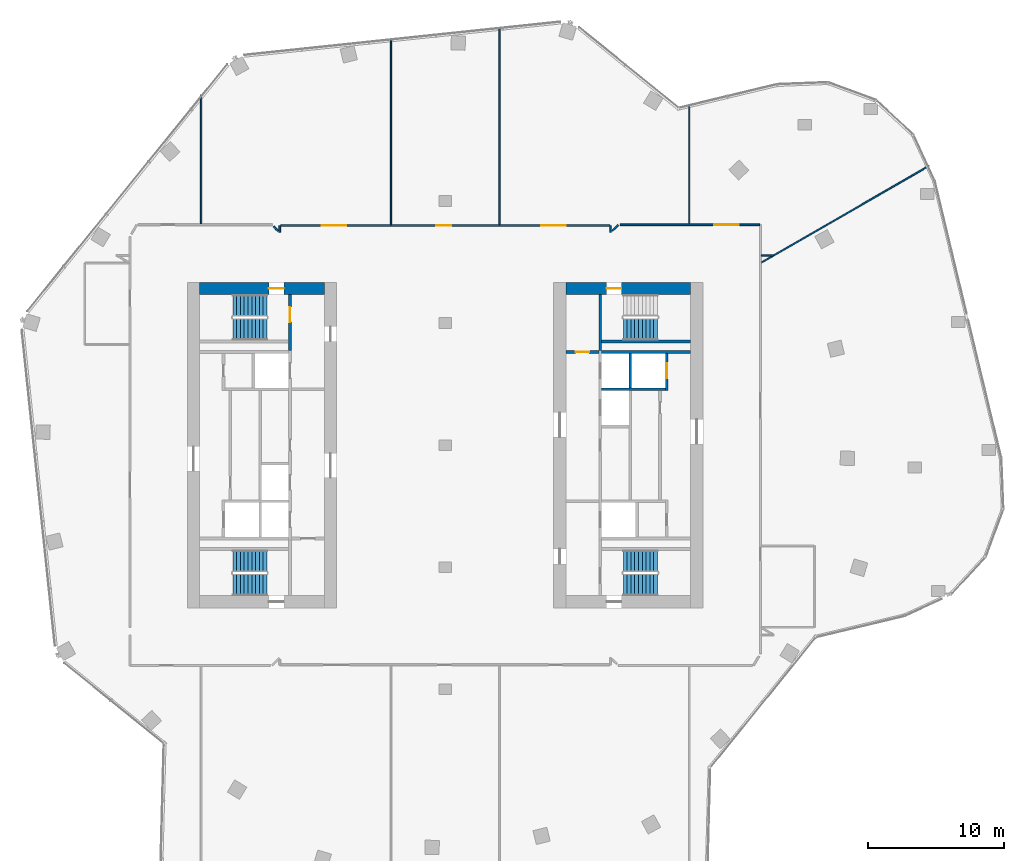
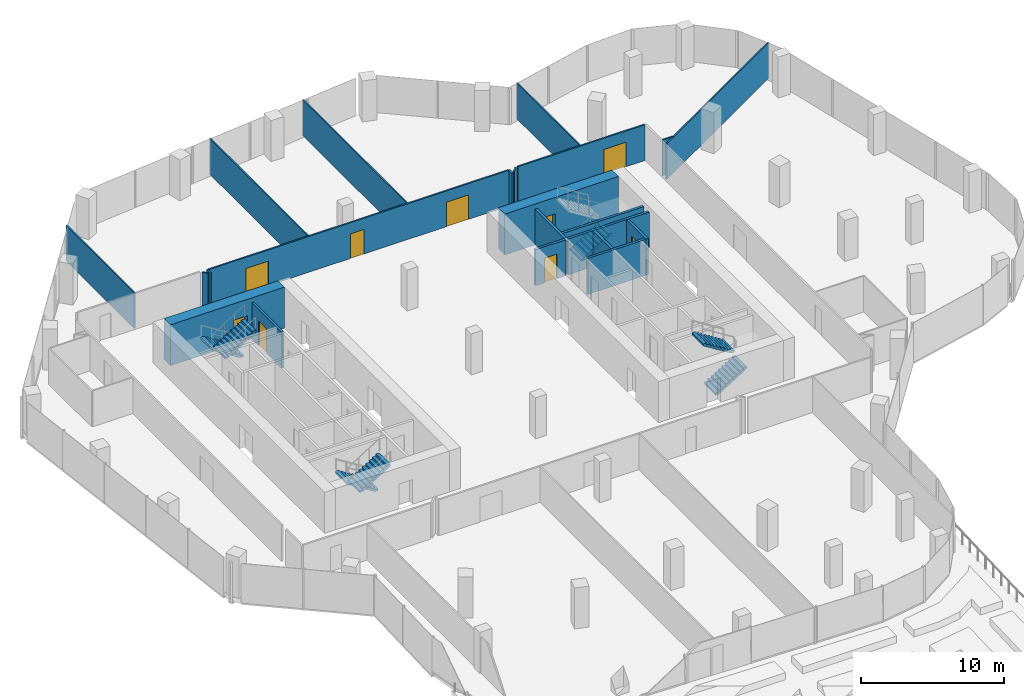
# One storey, part 20 of 25: 22 walls, 9 doors, 7 stair flights, 9 openings, 4 elements without a shape of their own.
"""IFC4 building model written with IfcOpenShell, lengths in metres."""

from ifc_helpers import new_model, si_unit, direction, frame, frame_2d, origin, place, context, subcontext, project, spatial, polyline, rectangle, outline, extrude, material, layer, layer_set, type_object, element, fill, aggregate, save


model = new_model("IFC4")

# Units and contexts
model_context = context("Model", 3, precision=1e-05, world=origin(), true_north=direction((0.0, 1.0)))
body_context = subcontext(model_context, "Body", "Model", "MODEL_VIEW")
ifc_project = project(units=[si_unit("LENGTHUNIT", "METRE"), si_unit("AREAUNIT", "SQUARE_METRE"), si_unit("VOLUMEUNIT", "CUBIC_METRE"), si_unit("PLANEANGLEUNIT", "RADIAN"), si_unit("MASSUNIT", "GRAM", prefix="KILO")], contexts=[model_context])

# Site, building, storey
site_placement = place(None, origin())
site = spatial("IfcSite", under=ifc_project, at=site_placement, CompositionType="ELEMENT")
building_placement = place(site_placement, origin())
building = spatial("IfcBuilding", under=site, at=building_placement, Name="Orlundy Tower", CompositionType="ELEMENT")
storey_placement = place(building_placement, frame((0.0, 0.0, 217.5)))
storey = spatial("IfcBuildingStorey", under=building, at=storey_placement, Name="L57", CompositionType="ELEMENT", Elevation=217.5)

# Wall, opening, door
ifc_material_1 = material(Name="Concrete C60/75", Category="concrete")
ifc_layer_1 = layer(ifc_material_1, 0.89990234375)
ifc_layer_set_1 = layer_set([ifc_layer_1], Name="CORE WALL 900 C60/75")
wall_type_1 = type_object("IfcWallType", Name="CORE WALL 900 C60/75", PredefinedType="SHEAR", material=ifc_layer_set_1)
wall_1_placement = place(storey_placement, frame((-18.10009765625, 11.550048828125, 0.0), z_axis=(0.0, 0.0, 1.0), x_axis=(1.0, 0.0, 0.0)))
wall_1 = element("IfcWall", 1, at=wall_1_placement, inside=storey, type_object=wall_type_1, Name="Core wall W-N L57", PredefinedType="SHEAR", context=body_context, shape_type="SweptSolid", body=[
    extrude(rectangle(XDim=9.2001953125, YDim=0.89990234375, at=frame_2d((4.60009765625, 0.0))), origin(), (0.0, 0.0, 1.0), 3.5),
])
opening_1_placement = place(wall_1_placement, frame((5.10009765625, 0.0, 0.0)))
opening_1 = element("IfcOpeningElement", 2, at=opening_1_placement, cuts=wall_1, Name="Opening 44011", PredefinedType="OPENING", context=body_context, shape_type="SweptSolid", body=[
    extrude(rectangle(XDim=1.10009765625, YDim=2.10009765625, at=frame_2d((0.550048828125, 1.050048828125))), frame((0.0, 0.4599609375, 0.0), z_axis=(0.0, -1.0, 0.0), x_axis=(1.0, 0.0, 0.0)), (0.0, 0.0, 1.0), 0.919921875),
])
ifc_material_2 = material(Name="Steel door set", Category="steel")
door_type_1 = type_object("IfcDoorType", Name="Stair Door 1100x2100", OperationType="SINGLE_SWING_LEFT", PredefinedType="DOOR", material=ifc_material_2)
door_1_placement = place(opening_1_placement, origin())
door_1 = element("IfcDoor", 3, at=door_1_placement, inside=storey, type_object=door_type_1, Name="Stair door 44011", OperationType="SINGLE_SWING_RIGHT", OverallHeight=2.10009765625, OverallWidth=1.10009765625, PredefinedType="DOOR", context=body_context, shape_type="SweptSolid", body=[
    extrude(rectangle(XDim=1.10009765625, YDim=2.10009765625, at=frame_2d((0.550048828125, 1.050048828125))), frame((0.0, 0.02490234375, 0.0), z_axis=(0.0, -1.0, 0.0), x_axis=(1.0, 0.0, 0.0)), (0.0, 0.0, 1.0), 0.050048828125),
])
fill(opening_1, door_1)

wall_2_placement = place(storey_placement, frame((8.89990234375, 11.550048828125, 0.0), z_axis=(0.0, 0.0, 1.0), x_axis=(1.0, 0.0, 0.0)))
wall_2 = element("IfcWall", 4, at=wall_2_placement, inside=storey, type_object=wall_type_1, Name="Core wall E-N L57", PredefinedType="SHEAR", context=body_context, shape_type="SweptSolid", body=[
    extrude(rectangle(XDim=9.2001953125, YDim=0.89990234375, at=frame_2d((4.60009765625, 0.0))), origin(), (0.0, 0.0, 1.0), 3.5),
])
opening_2_placement = place(wall_2_placement, frame((3.0, 0.0, 0.0)))
opening_2 = element("IfcOpeningElement", 5, at=opening_2_placement, cuts=wall_2, Name="Opening 44061", PredefinedType="OPENING", context=body_context, shape_type="SweptSolid", body=[
    extrude(rectangle(XDim=1.10009765625, YDim=2.10009765625, at=frame_2d((0.550048828125, 1.050048828125))), frame((0.0, 0.4599609375, 0.0), z_axis=(0.0, -1.0, 0.0), x_axis=(1.0, 0.0, 0.0)), (0.0, 0.0, 1.0), 0.919921875),
])
door_2_placement = place(opening_2_placement, origin())
door_2 = element("IfcDoor", 6, at=door_2_placement, inside=storey, type_object=door_type_1, Name="Stair door 44061", OperationType="SINGLE_SWING_LEFT", OverallHeight=2.10009765625, OverallWidth=1.10009765625, PredefinedType="DOOR", context=body_context, shape_type="SweptSolid", body=[
    extrude(rectangle(XDim=1.10009765625, YDim=2.10009765625, at=frame_2d((0.550048828125, 1.050048828125))), frame((0.0, 0.02490234375, 0.0), z_axis=(0.0, -1.0, 0.0), x_axis=(1.0, 0.0, 0.0)), (0.0, 0.0, 1.0), 0.050048828125),
])
fill(opening_2, door_2)

# Walls
ifc_material_3 = material(Name="Gypsum board partition")
ifc_layer_2 = layer(ifc_material_3, 0.10009765625)
ifc_layer_set_2 = layer_set([ifc_layer_2], Name="Floor partition 100")
wall_type_2 = type_object("IfcWallType", Name="Floor partition 100", PredefinedType="PARTITIONING", material=ifc_layer_set_2)
wall_3_placement = place(storey_placement, frame((23.31396484375, 14.0, 0.0), z_axis=(0.0, 0.0, 1.0), x_axis=(1.0, 0.0, 0.0)))
element("IfcWall", 7, at=wall_3_placement, inside=storey, type_object=wall_type_2, Name="wall-int-L57-015", PredefinedType="PARTITIONING", context=body_context, shape_type="SweptSolid", body=[
    extrude(rectangle(XDim=0.885009765625, YDim=0.10009765625, at=frame_2d((0.4423828125, 0.0))), origin(), (0.0, 0.0, 1.0), 3.06005859375),
])
wall_4_placement = place(storey_placement, frame((23.337890625, 13.47412109375, 0.0), z_axis=(0.0, 0.0, 1.0), x_axis=(0.866090390972, 0.499887421992, 0.0)))
element("IfcWall", 8, at=wall_4_placement, inside=storey, type_object=wall_type_2, Name="wall-int-L57-019", PredefinedType="PARTITIONING", context=body_context, shape_type="SweptSolid", body=[
    extrude(rectangle(XDim=14.262939453125, YDim=0.10009765625, at=frame_2d((7.13134765625, 0.0))), origin(), (0.0, 0.0, 1.0), 3.06005859375),
])
wall_5_placement = place(storey_placement, frame((18.0, 16.31201171875, 0.0), z_axis=(0.0, 0.0, 1.0), x_axis=(0.0, 1.0, 0.0)))
element("IfcWall", 9, at=wall_5_placement, inside=storey, type_object=wall_type_2, Name="wall-int-L57-028", PredefinedType="PARTITIONING", context=body_context, shape_type="SweptSolid", body=[
    extrude(rectangle(XDim=8.8349609375, YDim=0.10009765625, at=frame_2d((4.41748046875, 0.0))), origin(), (0.0, 0.0, 1.0), 3.06005859375),
])
wall_6_placement = place(storey_placement, frame((4.0, 16.261962890625, 0.0), z_axis=(0.0, 0.0, 1.0), x_axis=(0.0, 1.0, 0.0)))
element("IfcWall", 10, at=wall_6_placement, inside=storey, type_object=wall_type_2, Name="wall-int-L57-032", PredefinedType="PARTITIONING", context=body_context, shape_type="SweptSolid", body=[
    extrude(rectangle(XDim=14.574951171875, YDim=0.10009765625, at=frame_2d((7.28759765625, 0.0))), origin(), (0.0, 0.0, 1.0), 3.06005859375),
])
wall_7_placement = place(storey_placement, frame((-4.0, 16.261962890625, 0.0), z_axis=(0.0, 0.0, 1.0), x_axis=(0.0, 1.0, 0.0)))
element("IfcWall", 11, at=wall_7_placement, inside=storey, type_object=wall_type_2, Name="wall-int-L57-034", PredefinedType="PARTITIONING", context=body_context, shape_type="SweptSolid", body=[
    extrude(rectangle(XDim=13.734130859375, YDim=0.10009765625, at=frame_2d((6.8671875, 0.0))), origin(), (0.0, 0.0, 1.0), 3.06005859375),
])
wall_8_placement = place(storey_placement, frame((-18.0, 16.31201171875, 0.0), z_axis=(0.0, 0.0, 1.0), x_axis=(0.0, 1.0, 0.0)))
element("IfcWall", 12, at=wall_8_placement, inside=storey, type_object=wall_type_2, Name="wall-int-L57-036", PredefinedType="PARTITIONING", context=body_context, shape_type="SweptSolid", body=[
    extrude(rectangle(XDim=9.528076171875, YDim=0.10009765625, at=frame_2d((4.76416015625, 0.0))), origin(), (0.0, 0.0, 1.0), 3.06005859375),
])
ifc_material_4 = material(Name="Gypsum board partition, double layer")
ifc_layer_3 = layer(ifc_material_4, 0.125)
ifc_layer_set_3 = layer_set([ifc_layer_3], Name="Floor partition 125")
wall_type_3 = type_object("IfcWallType", Name="Floor partition 125", PredefinedType="PARTITIONING", material=ifc_layer_set_3)
wall_9_placement = place(storey_placement, frame((-12.64599609375, 16.1240234375, 0.0), z_axis=(0.0, 0.0, 1.0), x_axis=(0.707106781187, -0.707106781187, 0.0)))
element("IfcWall", 13, at=wall_9_placement, inside=storey, type_object=wall_type_3, Name="wall-int-L57-003", PredefinedType="PARTITIONING", context=body_context, shape_type="SweptSolid", body=[
    extrude(rectangle(XDim=0.449951171875, YDim=0.125, at=frame_2d((0.22509765625, 0.0))), origin(), (0.0, 0.0, 1.0), 3.06005859375),
])

# Wall, openings, doors
wall_10_placement = place(storey_placement, frame((-12.136962890625, 16.199951171875, 0.0), z_axis=(0.0, 0.0, 1.0), x_axis=(1.0, 0.0, 0.0)))
wall_10 = element("IfcWall", 14, at=wall_10_placement, inside=storey, type_object=wall_type_3, Name="wall-int-L57-016", PredefinedType="PARTITIONING", context=body_context, shape_type="SweptSolid", body=[
    extrude(rectangle(XDim=24.27587890625, YDim=0.125, at=frame_2d((12.137939453125, 0.0))), origin(), (0.0, 0.0, 1.0), 3.06005859375),
])
opening_3_placement = place(wall_10_placement, frame((19.237548828125, 0.0, 0.0)))
opening_3 = element("IfcOpeningElement", 15, at=opening_3_placement, cuts=wall_10, Name="Opening 44106", PredefinedType="OPENING", context=body_context, shape_type="SweptSolid", body=[
    extrude(rectangle(XDim=1.800048828125, YDim=2.10009765625, at=frame_2d((0.89990234375, 1.050048828125))), frame((0.0, 0.072509765625, 0.0), z_axis=(0.0, -1.0, 0.0), x_axis=(1.0, 0.0, 0.0)), (0.0, 0.0, 1.0), 0.14501953125),
])
opening_4_placement = place(wall_10_placement, frame((11.487548828125, 0.0, 0.0)))
opening_4 = element("IfcOpeningElement", 16, at=opening_4_placement, cuts=wall_10, Name="Opening 44107", PredefinedType="OPENING", context=body_context, shape_type="SweptSolid", body=[
    extrude(rectangle(XDim=1.10009765625, YDim=2.10009765625, at=frame_2d((0.550048828125, 1.050048828125))), frame((0.0, 0.072509765625, 0.0), z_axis=(0.0, -1.0, 0.0), x_axis=(1.0, 0.0, 0.0)), (0.0, 0.0, 1.0), 0.14501953125),
])
opening_5_placement = place(wall_10_placement, frame((3.03759765625, 0.0, 0.0)))
opening_5 = element("IfcOpeningElement", 17, at=opening_5_placement, cuts=wall_10, Name="Opening 44108", PredefinedType="OPENING", context=body_context, shape_type="SweptSolid", body=[
    extrude(rectangle(XDim=1.800048828125, YDim=2.10009765625, at=frame_2d((0.89990234375, 1.050048828125))), frame((0.0, 0.072509765625, 0.0), z_axis=(0.0, -1.0, 0.0), x_axis=(1.0, 0.0, 0.0)), (0.0, 0.0, 1.0), 0.14501953125),
])
ifc_material_5 = material(Name="Timber door leaf", Category="wood")
door_type_2 = type_object("IfcDoorType", Name="Floor door double 1800 FD30S", OperationType="NOTDEFINED", PredefinedType="DOOR", material=ifc_material_5)
door_3_placement = place(opening_3_placement, origin())
door_3 = element("IfcDoor", 18, at=door_3_placement, inside=storey, type_object=door_type_2, Name="Door 44106", OperationType="DOUBLE_DOOR_SINGLE_SWING", OverallHeight=2.10009765625, OverallWidth=1.800048828125, PredefinedType="DOOR", context=body_context, shape_type="SweptSolid", body=[
    extrude(rectangle(XDim=1.800048828125, YDim=2.10009765625, at=frame_2d((0.89990234375, 1.050048828125))), frame((0.0, 0.02490234375, 0.0), z_axis=(0.0, -1.0, 0.0), x_axis=(1.0, 0.0, 0.0)), (0.0, 0.0, 1.0), 0.050048828125),
])
fill(opening_3, door_3)
door_4_placement = place(opening_5_placement, origin())
door_4 = element("IfcDoor", 19, at=door_4_placement, inside=storey, type_object=door_type_2, Name="Door 44108", OperationType="DOUBLE_DOOR_SINGLE_SWING", OverallHeight=2.10009765625, OverallWidth=1.800048828125, PredefinedType="DOOR", context=body_context, shape_type="SweptSolid", body=[
    extrude(rectangle(XDim=1.800048828125, YDim=2.10009765625, at=frame_2d((0.89990234375, 1.050048828125))), frame((0.0, 0.02490234375, 0.0), z_axis=(0.0, -1.0, 0.0), x_axis=(1.0, 0.0, 0.0)), (0.0, 0.0, 1.0), 0.050048828125),
])
fill(opening_5, door_4)
ifc_material_6 = material(Name="Timber door leaf", Category="wood")
door_type_3 = type_object("IfcDoorType", Name="Floor door xwide 1100 FD30S", OperationType="NOTDEFINED", PredefinedType="DOOR", material=ifc_material_6)
door_5_placement = place(opening_4_placement, origin())
door_5 = element("IfcDoor", 20, at=door_5_placement, inside=storey, type_object=door_type_3, Name="Door 44107", OperationType="SINGLE_SWING_LEFT", OverallHeight=2.10009765625, OverallWidth=1.10009765625, PredefinedType="DOOR", context=body_context, shape_type="SweptSolid", body=[
    extrude(rectangle(XDim=1.10009765625, YDim=2.10009765625, at=frame_2d((0.550048828125, 1.050048828125))), frame((0.0, 0.02490234375, 0.0), z_axis=(0.0, -1.0, 0.0), x_axis=(1.0, 0.0, 0.0)), (0.0, 0.0, 1.0), 0.050048828125),
])
fill(opening_4, door_5)

# Wall, opening, door
wall_11_placement = place(storey_placement, frame((12.909912109375, 16.25, 0.0), z_axis=(0.0, 0.0, 1.0), x_axis=(1.0, 0.0, 0.0)))
wall_11 = element("IfcWall", 21, at=wall_11_placement, inside=storey, type_object=wall_type_3, Name="wall-int-L57-018", PredefinedType="PARTITIONING", context=body_context, shape_type="SweptSolid", body=[
    extrude(rectangle(XDim=10.279052734375, YDim=0.125, at=frame_2d((5.1396484375, 0.0))), origin(), (0.0, 0.0, 1.0), 3.06005859375),
])
opening_6_placement = place(wall_11_placement, frame((6.940185546875, 0.0, 0.0)))
opening_6 = element("IfcOpeningElement", 22, at=opening_6_placement, cuts=wall_11, Name="Opening 44105", PredefinedType="OPENING", context=body_context, shape_type="SweptSolid", body=[
    extrude(rectangle(XDim=1.800048828125, YDim=2.10009765625, at=frame_2d((0.89990234375, 1.050048828125))), frame((0.0, 0.072509765625, 0.0), z_axis=(0.0, -1.0, 0.0), x_axis=(1.0, 0.0, 0.0)), (0.0, 0.0, 1.0), 0.14501953125),
])
door_6_placement = place(opening_6_placement, origin())
door_6 = element("IfcDoor", 23, at=door_6_placement, inside=storey, type_object=door_type_2, Name="Door 44105", OperationType="DOUBLE_DOOR_SINGLE_SWING", OverallHeight=2.10009765625, OverallWidth=1.800048828125, PredefinedType="DOOR", context=body_context, shape_type="SweptSolid", body=[
    extrude(rectangle(XDim=1.800048828125, YDim=2.10009765625, at=frame_2d((0.89990234375, 1.050048828125))), frame((0.0, 0.02490234375, 0.0), z_axis=(0.0, -1.0, 0.0), x_axis=(1.0, 0.0, 0.0)), (0.0, 0.0, 1.0), 0.050048828125),
])
fill(opening_6, door_6)

# Walls
wall_12_placement = place(storey_placement, frame((12.3291015625, 15.806884765625, 0.0), z_axis=(0.0, 0.0, 1.0), x_axis=(0.706903150737, 0.707310353012, 0.0)))
element("IfcWall", 24, at=wall_12_placement, inside=storey, type_object=wall_type_3, Name="wall-int-L57-021", PredefinedType="PARTITIONING", context=body_context, shape_type="SweptSolid", body=[
    extrude(rectangle(XDim=0.599609375, YDim=0.125, at=frame_2d((0.2998046875, 0.0))), origin(), (0.0, 0.0, 1.0), 3.06005859375),
])
for number, where, z_axis, x_axis, name in (
    (25, (-12.200927734375, 15.69189453125, 0.0), (0.0, 0.0, 1.0), (0.00192214926, 0.999998152669, 0.0), "wall-int-L57-024"),
    (26, (12.200927734375, 15.69189453125, 0.0), (0.0, 0.0, 1.0), (0.0, 1.0, 0.0), "wall-int-L57-030"),
):
    element("IfcWall", number, at=place(storey_placement, frame(where, z_axis=z_axis, x_axis=x_axis)), inside=storey, type_object=wall_type_3, Name=name, PredefinedType="PARTITIONING", context=body_context, shape_type="SweptSolid", body=[
        extrude(rectangle(XDim=0.508056640625, YDim=0.125, at=frame_2d((0.25390625, 0.0))), origin(), (0.0, 0.0, 1.0), 3.06005859375),
    ])

# Wall, opening, door
ifc_material_7 = material(Name="Concrete C40/50", Category="concrete")
ifc_layer_4 = layer(ifc_material_7, 0.199951171875)
ifc_layer_set_4 = layer_set([ifc_layer_4], Name="Load-bearing Shaft Wall 200")
wall_type_4 = type_object("IfcWallType", Name="Load-bearing Shaft Wall 200", PredefinedType="SOLIDWALL", material=ifc_layer_set_4)
wall_13_placement = place(storey_placement, frame((-11.43994140625, 6.97509765625, 0.0), z_axis=(0.0, 0.0, 1.0), x_axis=(0.0, 1.0, 0.0)))
wall_13 = element("IfcWall", 27, at=wall_13_placement, inside=storey, type_object=wall_type_4, Name="Shaft wall W44-stair-end-n", PredefinedType="SOLIDWALL", context=body_context, shape_type="SweptSolid", body=[
    extrude(rectangle(XDim=4.125, YDim=0.199951171875, at=frame_2d((2.0625, 0.0))), origin(), (0.0, 0.0, 1.0), 3.080078125),
])
opening_7_placement = place(wall_13_placement, frame((2.10009765625, 0.0, 0.0)))
opening_7 = element("IfcOpeningElement", 28, at=opening_7_placement, cuts=wall_13, Name="Opening 44013", PredefinedType="OPENING", context=body_context, shape_type="SweptSolid", body=[
    extrude(rectangle(XDim=1.10009765625, YDim=2.10009765625, at=frame_2d((0.550048828125, 1.050048828125))), frame((0.0, 0.110107421875, 0.0), z_axis=(0.0, -1.0, 0.0), x_axis=(1.0, 0.0, 0.0)), (0.0, 0.0, 1.0), 0.22021484375),
])
ifc_material_8 = material(Name="Steel door set", Category="steel")
door_type_4 = type_object("IfcDoorType", Name="Fire-fighting Lobby Door 1100x2100", OperationType="SINGLE_SWING_LEFT", PredefinedType="DOOR", material=ifc_material_8)
door_7_placement = place(opening_7_placement, origin())
door_7 = element("IfcDoor", 29, at=door_7_placement, inside=storey, type_object=door_type_4, Name="Fire-fighting lobby to stair door 44013", OperationType="SINGLE_SWING_RIGHT", OverallHeight=2.10009765625, OverallWidth=1.10009765625, PredefinedType="DOOR", context=body_context, shape_type="SweptSolid", body=[
    extrude(rectangle(XDim=1.10009765625, YDim=2.10009765625, at=frame_2d((0.550048828125, 1.050048828125))), frame((0.0, 0.02490234375, 0.0), z_axis=(0.0, -1.0, 0.0), x_axis=(1.0, 0.0, 0.0)), (0.0, 0.0, 1.0), 0.050048828125),
])
fill(opening_7, door_7)

# Walls
wall_14_placement = place(storey_placement, frame((11.43994140625, 11.10009765625, 0.0), z_axis=(0.0, 0.0, 1.0), x_axis=(0.0, -1.0, 0.0)))
element("IfcWall", 30, at=wall_14_placement, inside=storey, type_object=wall_type_4, Name="Shaft wall E44-stair-end-s", PredefinedType="SOLIDWALL", context=body_context, shape_type="SweptSolid", body=[
    extrude(rectangle(XDim=4.125, YDim=0.199951171875, at=frame_2d((2.0625, 0.0))), origin(), (0.0, 0.0, 1.0), 3.080078125),
])
wall_15_placement = place(storey_placement, frame((11.5400390625, 7.64990234375, 0.0), z_axis=(0.0, 0.0, 1.0), x_axis=(1.0, 0.0, 0.0)))
element("IfcWall", 31, at=wall_15_placement, inside=storey, type_object=wall_type_4, Name="Shaft wall E44-stair-side-s", PredefinedType="SOLIDWALL", context=body_context, shape_type="SweptSolid", body=[
    extrude(rectangle(XDim=6.56005859375, YDim=0.199951171875, at=frame_2d((3.280029296875, 0.0))), origin(), (0.0, 0.0, 1.0), 3.080078125),
])

# Wall, opening, door
ifc_material_9 = material(Name="Gypsum board partition on steel studs", Category="steel")
ifc_layer_5 = layer(ifc_material_9, 0.199951171875)
ifc_layer_set_5 = layer_set([ifc_layer_5], Name="Partition 200")
wall_type_5 = type_object("IfcWallType", Name="Partition 200", PredefinedType="PARTITIONING", material=ifc_layer_set_5)
wall_16_placement = place(storey_placement, frame((8.89990234375, 6.875, 0.0), z_axis=(0.0, 0.0, 1.0), x_axis=(1.0, 0.0, 0.0)))
wall_16 = element("IfcWall", 32, at=wall_16_placement, inside=storey, type_object=wall_type_5, Name="Partition wall E44-end-s", PredefinedType="PARTITIONING", context=body_context, shape_type="SweptSolid", body=[
    extrude(rectangle(XDim=2.440185546875, YDim=0.199951171875, at=frame_2d((1.22021484375, 0.0))), origin(), (0.0, 0.0, 1.0), 3.080078125),
])
opening_8_placement = place(wall_16_placement, frame((0.719970703125, 0.0, 0.0)))
opening_8 = element("IfcOpeningElement", 33, at=opening_8_placement, cuts=wall_16, Name="Opening 44063", PredefinedType="OPENING", context=body_context, shape_type="SweptSolid", body=[
    extrude(rectangle(XDim=1.0, YDim=2.10009765625, at=frame_2d((0.5, 1.050048828125))), frame((0.0, 0.110107421875, 0.0), z_axis=(0.0, -1.0, 0.0), x_axis=(1.0, 0.0, 0.0)), (0.0, 0.0, 1.0), 0.22021484375),
])
ifc_material_10 = material(Name="Timber door set", Category="wood")
door_type_5 = type_object("IfcDoorType", Name="Accessible Door 1000x2100", OperationType="SINGLE_SWING_LEFT", PredefinedType="DOOR", material=ifc_material_10)
door_8_placement = place(opening_8_placement, origin())
door_8 = element("IfcDoor", 34, at=door_8_placement, inside=storey, type_object=door_type_5, Name="Accessible WC door 44063", OperationType="SINGLE_SWING_RIGHT", OverallHeight=2.10009765625, OverallWidth=1.0, PredefinedType="DOOR", context=body_context, shape_type="SweptSolid", body=[
    extrude(rectangle(XDim=1.0, YDim=2.10009765625, at=frame_2d((0.5, 1.050048828125))), frame((0.0, 0.02490234375, 0.0), z_axis=(0.0, -1.0, 0.0), x_axis=(1.0, 0.0, 0.0)), (0.0, 0.0, 1.0), 0.050048828125),
])
fill(opening_8, door_8)

# Walls
ifc_material_11 = material(Name="Fire-rated blockwork shaft wall", Category="masonry")
ifc_layer_6 = layer(ifc_material_11, 0.199951171875)
ifc_layer_set_6 = layer_set([ifc_layer_6], Name="Shaft Wall 200")
wall_type_6 = type_object("IfcWallType", Name="Shaft Wall 200", PredefinedType="SOLIDWALL", material=ifc_layer_set_6)
wall_17_placement = place(storey_placement, frame((11.5400390625, 6.875, 0.0), z_axis=(0.0, 0.0, 1.0), x_axis=(1.0, 0.0, 0.0)))
element("IfcWall", 35, at=wall_17_placement, inside=storey, type_object=wall_type_6, Name="Shaft wall E44-zone-s", PredefinedType="SOLIDWALL", context=body_context, shape_type="SweptSolid", body=[
    extrude(rectangle(XDim=6.56005859375, YDim=0.199951171875, at=frame_2d((3.280029296875, 0.0))), origin(), (0.0, 0.0, 1.0), 3.080078125),
])
wall_18_placement = place(storey_placement, frame((11.5400390625, 4.125, 0.0), z_axis=(0.0, 0.0, 1.0), x_axis=(1.0, 0.0, 0.0)))
element("IfcWall", 36, at=wall_18_placement, inside=storey, type_object=wall_type_6, Name="Shaft wall E44-cross-4.125", PredefinedType="SOLIDWALL", context=body_context, shape_type="SweptSolid", body=[
    extrude(rectangle(XDim=4.699951171875, YDim=0.199951171875, at=frame_2d((2.35009765625, 0.0))), origin(), (0.0, 0.0, 1.0), 3.080078125),
])
wall_19_placement = place(storey_placement, frame((13.639892578125, 6.77490234375, 0.0), z_axis=(0.0, 0.0, 1.0), x_axis=(0.0, -1.0, 0.0)))
element("IfcWall", 37, at=wall_19_placement, inside=storey, type_object=wall_type_6, Name="Shaft wall E44-mid-a", PredefinedType="SOLIDWALL", context=body_context, shape_type="SweptSolid", body=[
    extrude(rectangle(XDim=2.5498046875, YDim=0.199951171875, at=frame_2d((1.27490234375, 0.0))), origin(), (0.0, 0.0, 1.0), 3.080078125),
])

# Wall, opening, door
wall_20_placement = place(storey_placement, frame((16.340087890625, 6.77490234375, 0.0), z_axis=(0.0, 0.0, 1.0), x_axis=(0.0, -1.0, 0.0)))
wall_20 = element("IfcWall", 38, at=wall_20_placement, inside=storey, type_object=wall_type_6, Name="Shaft wall E44-front-o-a", PredefinedType="SOLIDWALL", context=body_context, shape_type="SweptSolid", body=[
    extrude(rectangle(XDim=2.75, YDim=0.199951171875, at=frame_2d((1.375, 0.0))), origin(), (0.0, 0.0, 1.0), 3.080078125),
])
opening_9_placement = place(wall_20_placement, frame((0.72509765625, 0.0, 0.0)))
opening_9 = element("IfcOpeningElement", 39, at=opening_9_placement, cuts=wall_20, Name="Opening 44051", PredefinedType="OPENING", context=body_context, shape_type="SweptSolid", body=[
    extrude(rectangle(XDim=1.10009765625, YDim=2.10009765625, at=frame_2d((0.550048828125, 1.050048828125))), frame((0.0, 0.110107421875, 0.0), z_axis=(0.0, -1.0, 0.0), x_axis=(1.0, 0.0, 0.0)), (0.0, 0.0, 1.0), 0.22021484375),
])
ifc_material_12 = material(Name="Steel door set", Category="steel")
door_type_6 = type_object("IfcDoorType", Name="Landing Door 1100x2100", OperationType="DOUBLE_DOOR_SLIDING", PredefinedType="DOOR", material=ifc_material_12)
door_9_placement = place(opening_9_placement, origin())
door_9 = element("IfcDoor", 40, at=door_9_placement, inside=storey, type_object=door_type_6, Name="Lift landing door LV-02 44051", OperationType="DOUBLE_DOOR_SLIDING", OverallHeight=2.10009765625, OverallWidth=1.10009765625, PredefinedType="DOOR", context=body_context, shape_type="SweptSolid", body=[
    extrude(rectangle(XDim=1.10009765625, YDim=2.10009765625, at=frame_2d((0.550048828125, 1.050048828125))), frame((0.0, 0.02490234375, 0.0), z_axis=(0.0, -1.0, 0.0), x_axis=(1.0, 0.0, 0.0)), (0.0, 0.0, 1.0), 0.050048828125),
])
fill(opening_9, door_9)

# Stair, stair flights
ifc_material_13 = material(Name="Concrete C50/60", Category="concrete")
stair_type = type_object("IfcStairType", Name="Exit Stair 20 risers", PredefinedType="HALF_TURN_STAIR", material=ifc_material_13)
stair_1_placement = place(storey_placement, origin())
stair_1 = element("IfcStair", 41, at=stair_1_placement, inside=storey, type_object=stair_type, Name="L57 Exit Stair ST-W1", PredefinedType="HALF_TURN_STAIR")
ifc_material_14 = material(Name="Concrete C50/60", Category="concrete")
stair_flight_type = type_object("IfcStairFlightType", Name="Stair Flight 10 risers", PredefinedType="STRAIGHT", material=ifc_material_14)
stair_flight_1_placement = place(storey_placement, frame((-13.139892578125, 10.300048828125, 0.0), z_axis=(0.0, 0.0, 1.0), x_axis=(-1.0, 0.0, 0.0)))
stair_flight_1 = element("IfcStairFlight", 42, at=stair_flight_1_placement, type_object=stair_flight_type, Name="ST-W1 flight 1", NumberOfRisers=10, NumberOfTreads=9, PredefinedType="STRAIGHT", RiserHeight=0.175, TreadLength=0.28, context=body_context, shape_type="SweptSolid", body=[
    extrude(outline(polyline([(0.0, 0.0), (0.0, 0.175048828125), (0.280029296875, 0.175048828125), (0.280029296875, 0.35009765625), (0.56005859375, 0.35009765625), (0.56005859375, 0.52490234375), (0.840087890625, 0.52490234375), (0.840087890625, 0.699951171875), (1.1201171875, 0.699951171875), (1.1201171875, 0.875), (1.39990234375, 0.875), (1.39990234375, 1.050048828125), (1.679931640625, 1.050048828125), (1.679931640625, 1.22509765625), (1.9599609375, 1.22509765625), (1.9599609375, 1.39990234375), (2.239990234375, 1.39990234375), (2.239990234375, 1.574951171875), (2.52001953125, 1.574951171875), (2.52001953125, 1.75), (2.52001953125, 1.398193359375), (0.28271484375, 0.0), (0.0, 0.0)])), frame((0.0, 0.800048828125, 0.0), z_axis=(0.0, -1.0, 0.0), x_axis=(1.0, 0.0, 0.0)), (0.0, 0.0, 1.0), 1.60009765625),
])
stair_flight_2_placement = place(storey_placement, frame((-15.659912109375, 8.550048828125, 1.75), z_axis=(0.0, 0.0, 1.0), x_axis=(1.0, 0.0, 0.0)))
stair_flight_2 = element("IfcStairFlight", 43, at=stair_flight_2_placement, type_object=stair_flight_type, Name="ST-W1 flight 2", NumberOfRisers=10, NumberOfTreads=9, PredefinedType="STRAIGHT", RiserHeight=0.175, TreadLength=0.28, context=body_context, shape_type="SweptSolid", body=[
    extrude(outline(polyline([(0.0, 0.0), (0.0, 0.175048828125), (0.280029296875, 0.175048828125), (0.280029296875, 0.35009765625), (0.56005859375, 0.35009765625), (0.56005859375, 0.52490234375), (0.840087890625, 0.52490234375), (0.840087890625, 0.699951171875), (1.1201171875, 0.699951171875), (1.1201171875, 0.875), (1.39990234375, 0.875), (1.39990234375, 1.050048828125), (1.679931640625, 1.050048828125), (1.679931640625, 1.22509765625), (1.9599609375, 1.22509765625), (1.9599609375, 1.39990234375), (2.239990234375, 1.39990234375), (2.239990234375, 1.574951171875), (2.52001953125, 1.574951171875), (2.52001953125, 1.75), (2.52001953125, 1.398193359375), (0.28271484375, 0.0), (0.0, 0.0)])), frame((0.0, 0.800048828125, 0.0), z_axis=(0.0, -1.0, 0.0), x_axis=(1.0, 0.0, 0.0)), (0.0, 0.0, 1.0), 1.60009765625),
])
aggregate(stair_1, [stair_flight_1, stair_flight_2])

stair_2_placement = place(storey_placement, origin())
stair_2 = element("IfcStair", 44, at=stair_2_placement, inside=storey, type_object=stair_type, Name="L57 Exit Stair ST-W2", PredefinedType="HALF_TURN_STAIR")
stair_flight_3_placement = place(storey_placement, frame((-13.139892578125, -8.550048828125, 0.0), z_axis=(0.0, 0.0, 1.0), x_axis=(-1.0, 0.0, 0.0)))
stair_flight_3 = element("IfcStairFlight", 45, at=stair_flight_3_placement, type_object=stair_flight_type, Name="ST-W2 flight 1", NumberOfRisers=10, NumberOfTreads=9, PredefinedType="STRAIGHT", RiserHeight=0.175, TreadLength=0.28, context=body_context, shape_type="SweptSolid", body=[
    extrude(outline(polyline([(0.0, 0.0), (0.0, 0.175048828125), (0.280029296875, 0.175048828125), (0.280029296875, 0.35009765625), (0.56005859375, 0.35009765625), (0.56005859375, 0.52490234375), (0.840087890625, 0.52490234375), (0.840087890625, 0.699951171875), (1.1201171875, 0.699951171875), (1.1201171875, 0.875), (1.39990234375, 0.875), (1.39990234375, 1.050048828125), (1.679931640625, 1.050048828125), (1.679931640625, 1.22509765625), (1.9599609375, 1.22509765625), (1.9599609375, 1.39990234375), (2.239990234375, 1.39990234375), (2.239990234375, 1.574951171875), (2.52001953125, 1.574951171875), (2.52001953125, 1.75), (2.52001953125, 1.398193359375), (0.28271484375, 0.0), (0.0, 0.0)])), frame((0.0, 0.800048828125, 0.0), z_axis=(0.0, -1.0, 0.0), x_axis=(1.0, 0.0, 0.0)), (0.0, 0.0, 1.0), 1.60009765625),
])
stair_flight_4_placement = place(storey_placement, frame((-15.659912109375, -10.300048828125, 1.75), z_axis=(0.0, 0.0, 1.0), x_axis=(1.0, 0.0, 0.0)))
stair_flight_4 = element("IfcStairFlight", 46, at=stair_flight_4_placement, type_object=stair_flight_type, Name="ST-W2 flight 2", NumberOfRisers=10, NumberOfTreads=9, PredefinedType="STRAIGHT", RiserHeight=0.175, TreadLength=0.28, context=body_context, shape_type="SweptSolid", body=[
    extrude(outline(polyline([(0.0, 0.0), (0.0, 0.175048828125), (0.280029296875, 0.175048828125), (0.280029296875, 0.35009765625), (0.56005859375, 0.35009765625), (0.56005859375, 0.52490234375), (0.840087890625, 0.52490234375), (0.840087890625, 0.699951171875), (1.1201171875, 0.699951171875), (1.1201171875, 0.875), (1.39990234375, 0.875), (1.39990234375, 1.050048828125), (1.679931640625, 1.050048828125), (1.679931640625, 1.22509765625), (1.9599609375, 1.22509765625), (1.9599609375, 1.39990234375), (2.239990234375, 1.39990234375), (2.239990234375, 1.574951171875), (2.52001953125, 1.574951171875), (2.52001953125, 1.75), (2.52001953125, 1.398193359375), (0.28271484375, 0.0), (0.0, 0.0)])), frame((0.0, 0.800048828125, 0.0), z_axis=(0.0, -1.0, 0.0), x_axis=(1.0, 0.0, 0.0)), (0.0, 0.0, 1.0), 1.60009765625),
])
aggregate(stair_2, [stair_flight_3, stair_flight_4])

stair_3_placement = place(storey_placement, origin())
stair_3 = element("IfcStair", 47, at=stair_3_placement, inside=storey, type_object=stair_type, Name="L57 Exit Stair ST-E1", PredefinedType="HALF_TURN_STAIR")
stair_flight_5_placement = place(storey_placement, frame((13.139892578125, -10.300048828125, 0.0), z_axis=(0.0, 0.0, 1.0), x_axis=(1.0, 0.0, 0.0)))
stair_flight_5 = element("IfcStairFlight", 48, at=stair_flight_5_placement, type_object=stair_flight_type, Name="ST-E1 flight 1", NumberOfRisers=10, NumberOfTreads=9, PredefinedType="STRAIGHT", RiserHeight=0.175, TreadLength=0.28, context=body_context, shape_type="SweptSolid", body=[
    extrude(outline(polyline([(0.0, 0.0), (0.0, 0.175048828125), (0.280029296875, 0.175048828125), (0.280029296875, 0.35009765625), (0.56005859375, 0.35009765625), (0.56005859375, 0.52490234375), (0.840087890625, 0.52490234375), (0.840087890625, 0.699951171875), (1.1201171875, 0.699951171875), (1.1201171875, 0.875), (1.39990234375, 0.875), (1.39990234375, 1.050048828125), (1.679931640625, 1.050048828125), (1.679931640625, 1.22509765625), (1.9599609375, 1.22509765625), (1.9599609375, 1.39990234375), (2.239990234375, 1.39990234375), (2.239990234375, 1.574951171875), (2.52001953125, 1.574951171875), (2.52001953125, 1.75), (2.52001953125, 1.398193359375), (0.28271484375, 0.0), (0.0, 0.0)])), frame((0.0, 0.800048828125, 0.0), z_axis=(0.0, -1.0, 0.0), x_axis=(1.0, 0.0, 0.0)), (0.0, 0.0, 1.0), 1.60009765625),
])
stair_flight_6_placement = place(storey_placement, frame((15.659912109375, -8.550048828125, 1.75), z_axis=(0.0, 0.0, 1.0), x_axis=(-1.0, 0.0, 0.0)))
stair_flight_6 = element("IfcStairFlight", 49, at=stair_flight_6_placement, type_object=stair_flight_type, Name="ST-E1 flight 2", NumberOfRisers=10, NumberOfTreads=9, PredefinedType="STRAIGHT", RiserHeight=0.175, TreadLength=0.28, context=body_context, shape_type="SweptSolid", body=[
    extrude(outline(polyline([(0.0, 0.0), (0.0, 0.175048828125), (0.280029296875, 0.175048828125), (0.280029296875, 0.35009765625), (0.56005859375, 0.35009765625), (0.56005859375, 0.52490234375), (0.840087890625, 0.52490234375), (0.840087890625, 0.699951171875), (1.1201171875, 0.699951171875), (1.1201171875, 0.875), (1.39990234375, 0.875), (1.39990234375, 1.050048828125), (1.679931640625, 1.050048828125), (1.679931640625, 1.22509765625), (1.9599609375, 1.22509765625), (1.9599609375, 1.39990234375), (2.239990234375, 1.39990234375), (2.239990234375, 1.574951171875), (2.52001953125, 1.574951171875), (2.52001953125, 1.75), (2.52001953125, 1.398193359375), (0.28271484375, 0.0), (0.0, 0.0)])), frame((0.0, 0.800048828125, 0.0), z_axis=(0.0, -1.0, 0.0), x_axis=(1.0, 0.0, 0.0)), (0.0, 0.0, 1.0), 1.60009765625),
])
aggregate(stair_3, [stair_flight_5, stair_flight_6])

# Stair, stair flight
stair_4_placement = place(storey_placement, origin())
stair_4 = element("IfcStair", 50, at=stair_4_placement, inside=storey, type_object=stair_type, Name="L57 Exit Stair ST-E2", PredefinedType="HALF_TURN_STAIR")
stair_flight_7_placement = place(storey_placement, frame((13.139892578125, 8.550048828125, 0.0), z_axis=(0.0, 0.0, 1.0), x_axis=(1.0, 0.0, 0.0)))
stair_flight_7 = element("IfcStairFlight", 51, at=stair_flight_7_placement, type_object=stair_flight_type, Name="ST-E2 flight 1", NumberOfRisers=10, NumberOfTreads=9, PredefinedType="STRAIGHT", RiserHeight=0.175, TreadLength=0.28, context=body_context, shape_type="SweptSolid", body=[
    extrude(outline(polyline([(0.0, 0.0), (0.0, 0.175048828125), (0.280029296875, 0.175048828125), (0.280029296875, 0.35009765625), (0.56005859375, 0.35009765625), (0.56005859375, 0.52490234375), (0.840087890625, 0.52490234375), (0.840087890625, 0.699951171875), (1.1201171875, 0.699951171875), (1.1201171875, 0.875), (1.39990234375, 0.875), (1.39990234375, 1.050048828125), (1.679931640625, 1.050048828125), (1.679931640625, 1.22509765625), (1.9599609375, 1.22509765625), (1.9599609375, 1.39990234375), (2.239990234375, 1.39990234375), (2.239990234375, 1.574951171875), (2.52001953125, 1.574951171875), (2.52001953125, 1.75), (2.52001953125, 1.398193359375), (0.28271484375, 0.0), (0.0, 0.0)])), frame((0.0, 0.800048828125, 0.0), z_axis=(0.0, -1.0, 0.0), x_axis=(1.0, 0.0, 0.0)), (0.0, 0.0, 1.0), 1.60009765625),
])
aggregate(stair_4, [stair_flight_7])

save(model, "model.ifc")
